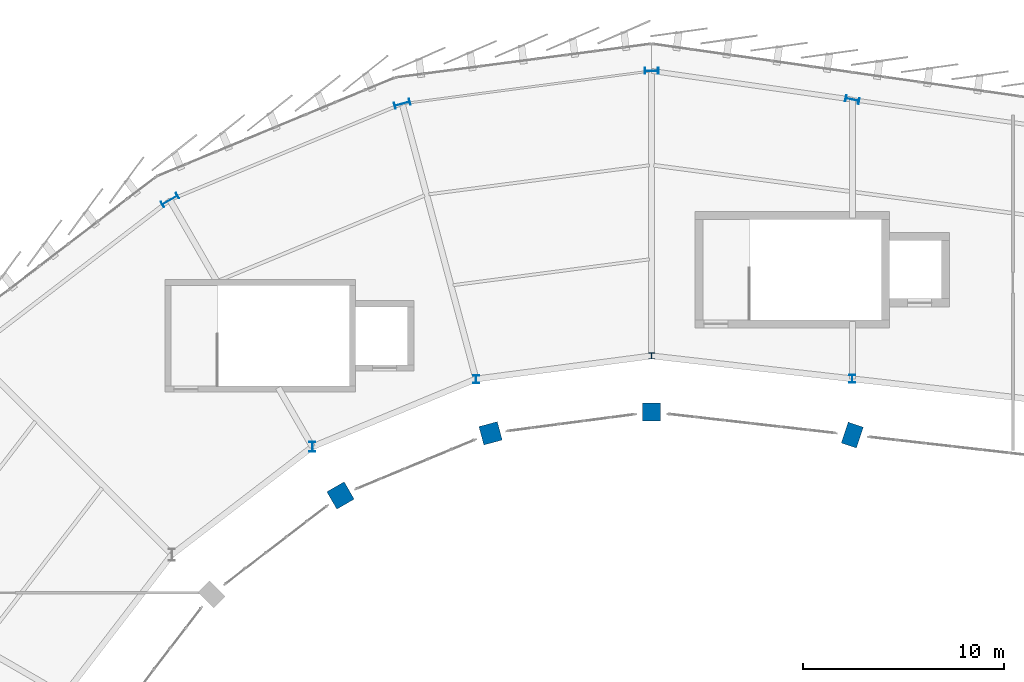
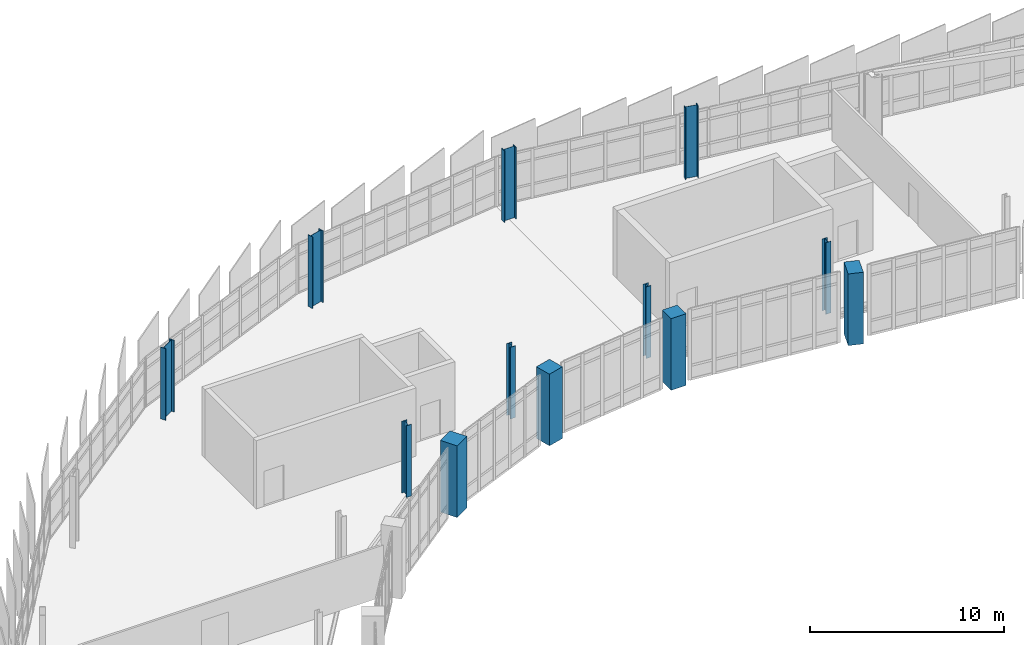
# One storey, part 7 of 67: 12 columns.
"""IFC4 building model written with IfcOpenShell, lengths in metres."""

from ifc_helpers import new_model, si_unit, direction, frame, origin, origin_2d, place, context, subcontext, project, spatial, rectangle, i_section, extrude, material, material_profile, profile_set, type_object, element, save


model = new_model("IFC4")

# Units and contexts
model_context = context("Model", 3, precision=1e-05, world=origin(), true_north=direction((0.0, 1.0)))
body_context = subcontext(model_context, "Body", "Model", "MODEL_VIEW")
ifc_project = project(units=[si_unit("LENGTHUNIT", "METRE"), si_unit("AREAUNIT", "SQUARE_METRE"), si_unit("VOLUMEUNIT", "CUBIC_METRE"), si_unit("PLANEANGLEUNIT", "RADIAN"), si_unit("MASSUNIT", "GRAM", prefix="KILO")], contexts=[model_context])

# Site, building, storey
site_placement = place(None, origin())
site = spatial("IfcSite", under=ifc_project, at=site_placement, CompositionType="ELEMENT")
building_placement = place(site_placement, origin())
building = spatial("IfcBuilding", under=site, at=building_placement, Name="Sohan Crest Arena", CompositionType="ELEMENT")
storey_placement = place(building_placement, frame((0.0, 0.0, 22.5)))
storey = spatial("IfcBuildingStorey", under=building, at=storey_placement, Name="L05", CompositionType="ELEMENT", Elevation=22.5)

# Columns
ifc_material_1 = material(Name="Concrete C40/50", Category="concrete")
ifc_material_profile_1 = material_profile(ifc_material_1, rectangle(XDim=0.89990234375, YDim=0.89990234375, at=origin_2d()), Name="RC 900x900")
ifc_profile_set_1 = profile_set([ifc_material_profile_1], Name="Concrete C40/50")
column_type_1 = type_object("IfcColumnType", Name="STR-COL-C07", PredefinedType="COLUMN", material=ifc_profile_set_1)
column_1_placement = place(storey_placement, frame((98.0, 109.0, 0.0), z_axis=(0.0, 0.0, 1.0), x_axis=(0.0, 1.0, 0.0)))
element("IfcColumn", 1, at=column_1_placement, inside=storey, type_object=column_type_1, Name="Structural column COL-V1R-01-L05", PredefinedType="COLUMN", context=body_context, shape_type="SweptSolid", body=[
    extrude(rectangle(XDim=0.89990234375, YDim=0.89990234375, at=origin_2d()), origin(), (0.0, 0.0, 1.0), 4.5),
])
ifc_material_profile_2 = material_profile(ifc_material_1, rectangle(XDim=0.949951171875, YDim=0.949951171875, at=origin_2d()), Name="RC 950x950")
ifc_profile_set_2 = profile_set([ifc_material_profile_2], Name="Concrete C40/50")
column_type_2 = type_object("IfcColumnType", Name="STR-COL-C08", PredefinedType="COLUMN", material=ifc_profile_set_2)
column_2_placement = place(storey_placement, frame((89.97705078125, 107.944091796875, 0.0), z_axis=(0.0, 0.0, 1.0), x_axis=(-0.258819045103, 0.965925826289, 0.0)))
element("IfcColumn", 2, at=column_2_placement, inside=storey, type_object=column_type_2, Name="Structural column COL-V1R-02-L05", PredefinedType="COLUMN", context=body_context, shape_type="SweptSolid", body=[
    extrude(rectangle(XDim=0.949951171875, YDim=0.949951171875, at=origin_2d()), origin(), (0.0, 0.0, 1.0), 4.5),
])
ifc_material_profile_3 = material_profile(ifc_material_1, rectangle(XDim=1.0, YDim=1.0, at=origin_2d()), Name="RC 1000x1000")
ifc_profile_set_3 = profile_set([ifc_material_profile_3], Name="Concrete C40/50")
column_type_3 = type_object("IfcColumnType", Name="STR-COL-C09", PredefinedType="COLUMN", material=ifc_profile_set_3)
column_3_placement = place(storey_placement, frame((82.5, 104.846923828125, 0.0), z_axis=(0.0, 0.0, 1.0), x_axis=(-0.5, 0.866025403784, 0.0)))
element("IfcColumn", 3, at=column_3_placement, inside=storey, type_object=column_type_3, Name="Structural column COL-V1R-03-L05", PredefinedType="COLUMN", context=body_context, shape_type="SweptSolid", body=[
    extrude(rectangle(XDim=1.0, YDim=1.0, at=origin_2d()), origin(), (0.0, 0.0, 1.0), 4.5),
])
ifc_material_profile_4 = material_profile(ifc_material_1, rectangle(XDim=1.10009765625, YDim=0.800048828125, at=origin_2d()), Name="RC 1100x800")
ifc_profile_set_4 = profile_set([ifc_material_profile_4], Name="Concrete C40/50")
column_type_4 = type_object("IfcColumnType", Name="STR-COL-C10", PredefinedType="COLUMN", material=ifc_profile_set_4)
column_4_placement = place(storey_placement, frame((108.0, 107.85693359375, 0.0), z_axis=(0.0, 0.0, 1.0), x_axis=(0.317304656405, 0.948323655206, 0.0)))
element("IfcColumn", 4, at=column_4_placement, inside=storey, type_object=column_type_4, Name="Structural column COL-V1R-34-L05", PredefinedType="COLUMN", context=body_context, shape_type="SweptSolid", body=[
    extrude(rectangle(XDim=1.10009765625, YDim=0.800048828125, at=origin_2d()), origin(), (0.0, 0.0, 1.0), 4.5),
])
ifc_material_2 = material(Name="Steel S355", Category="steel")
ifc_material_profile_5 = material_profile(ifc_material_2, i_section(OverallWidth=0.300048828125, OverallDepth=0.300048828125, WebThickness=0.010986328125, FlangeThickness=0.01904296875, at=origin_2d()), Name="HEB 300")
ifc_profile_set_5 = profile_set([ifc_material_profile_5], Name="Steel S355")
column_type_5 = type_object("IfcColumnType", Name="STR-COL-C17", PredefinedType="COLUMN", material=ifc_profile_set_5)
column_5_placement = place(storey_placement, frame((98.0, 111.800048828125, 0.0), z_axis=(0.0, 0.0, 1.0), x_axis=(1.0, 0.0, 0.0)))
element("IfcColumn", 5, at=column_5_placement, inside=storey, type_object=column_type_5, Name="Structural column COL-V2I-01-L05", PredefinedType="COLUMN", context=body_context, shape_type="SweptSolid", body=[
    extrude(i_section(OverallWidth=0.300048828125, OverallDepth=0.300048828125, WebThickness=0.010986328125, FlangeThickness=0.01904296875, at=origin_2d()), origin(), (0.0, 0.0, 1.0), 4.5),
])
ifc_material_profile_6 = material_profile(ifc_material_2, i_section(OverallWidth=0.300048828125, OverallDepth=0.39990234375, WebThickness=0.013427734375, FlangeThickness=0.02392578125, at=origin_2d()), Name="HEB 400")
ifc_profile_set_6 = profile_set([ifc_material_profile_6], Name="Steel S355")
column_type_6 = type_object("IfcColumnType", Name="STR-COL-C18", PredefinedType="COLUMN", material=ifc_profile_set_6)
for number, where, z_axis, x_axis, name in (
    (6, (89.251953125, 110.64794921875, 0.0), (0.0, 0.0, 1.0), (1.0, 0.0, 0.0), "Structural column COL-V2I-02-L05"),
    (7, (108.0, 110.656982421875, 0.0), (0.0, 0.0, 1.0), (1.0, 0.0, 0.0), "Structural column COL-V2I-34-L05"),
):
    element("IfcColumn", number, at=place(storey_placement, frame(where, z_axis=z_axis, x_axis=x_axis)), inside=storey, type_object=column_type_6, Name=name, PredefinedType="COLUMN", context=body_context, shape_type="SweptSolid", body=[
        extrude(i_section(OverallWidth=0.300048828125, OverallDepth=0.39990234375, WebThickness=0.013427734375, FlangeThickness=0.02392578125, at=origin_2d()), origin(), (0.0, 0.0, 1.0), 4.5),
    ])
ifc_material_profile_7 = material_profile(ifc_material_2, i_section(OverallWidth=0.300048828125, OverallDepth=0.5, WebThickness=0.014404296875, FlangeThickness=0.028076171875, at=origin_2d()), Name="HEB 500")
ifc_profile_set_7 = profile_set([ifc_material_profile_7], Name="Steel S355")
column_type_7 = type_object("IfcColumnType", Name="STR-COL-C19", PredefinedType="COLUMN", material=ifc_profile_set_7)
column_6_placement = place(storey_placement, frame((81.10009765625, 107.27197265625, 0.0), z_axis=(0.0, 0.0, 1.0), x_axis=(1.0, 0.0, 0.0)))
element("IfcColumn", 8, at=column_6_placement, inside=storey, type_object=column_type_7, Name="Structural column COL-V2I-03-L05", PredefinedType="COLUMN", context=body_context, shape_type="SweptSolid", body=[
    extrude(i_section(OverallWidth=0.300048828125, OverallDepth=0.5, WebThickness=0.014404296875, FlangeThickness=0.028076171875, at=origin_2d()), origin(), (0.0, 0.0, 1.0), 4.5),
])
ifc_material_profile_8 = material_profile(ifc_material_2, i_section(OverallWidth=0.300048828125, OverallDepth=0.699951171875, WebThickness=0.01708984375, FlangeThickness=0.031982421875, at=origin_2d()), Name="HEB 700")
ifc_profile_set_8 = profile_set([ifc_material_profile_8], Name="Steel S355")
column_type_8 = type_object("IfcColumnType", Name="STR-COL-C21", PredefinedType="COLUMN", material=ifc_profile_set_8)
for number, where, z_axis, x_axis, name in (
    (9, (98.0, 126.0, 0.0), (0.0, 0.0, 1.0), (0.0, 1.0, 0.0), "Structural column COL-V2O-01-L05"),
    (10, (108.0, 124.571044921875, 0.0), (0.0, 0.0, 1.0), (0.209618562904, 0.977783236759, 0.0), "Structural column COL-V2O-34-L05"),
):
    element("IfcColumn", number, at=place(storey_placement, frame(where, z_axis=z_axis, x_axis=x_axis)), inside=storey, type_object=column_type_8, Name=name, PredefinedType="COLUMN", context=body_context, shape_type="SweptSolid", body=[
        extrude(i_section(OverallWidth=0.300048828125, OverallDepth=0.699951171875, WebThickness=0.01708984375, FlangeThickness=0.031982421875, at=origin_2d()), origin(), (0.0, 0.0, 1.0), 4.5),
    ])
ifc_material_profile_9 = material_profile(ifc_material_2, i_section(OverallWidth=0.300048828125, OverallDepth=0.800048828125, WebThickness=0.017578125, FlangeThickness=0.032958984375, at=origin_2d()), Name="HEB 800")
ifc_profile_set_9 = profile_set([ifc_material_profile_9], Name="Steel S355")
column_type_9 = type_object("IfcColumnType", Name="STR-COL-C22", PredefinedType="COLUMN", material=ifc_profile_set_9)
column_7_placement = place(storey_placement, frame((85.576904296875, 124.364013671875, 0.0), z_axis=(0.0, 0.0, 1.0), x_axis=(-0.258819045103, 0.965925826289, 0.0)))
element("IfcColumn", 11, at=column_7_placement, inside=storey, type_object=column_type_9, Name="Structural column COL-V2O-02-L05", PredefinedType="COLUMN", context=body_context, shape_type="SweptSolid", body=[
    extrude(i_section(OverallWidth=0.300048828125, OverallDepth=0.800048828125, WebThickness=0.017578125, FlangeThickness=0.032958984375, at=origin_2d()), origin(), (0.0, 0.0, 1.0), 4.5),
])
ifc_material_profile_10 = material_profile(ifc_material_2, i_section(OverallWidth=0.300048828125, OverallDepth=0.89990234375, WebThickness=0.0185546875, FlangeThickness=0.034912109375, at=origin_2d()), Name="HEB 900")
ifc_profile_set_10 = profile_set([ifc_material_profile_10], Name="Steel S355")
column_type_10 = type_object("IfcColumnType", Name="STR-COL-C23", PredefinedType="COLUMN", material=ifc_profile_set_10)
column_8_placement = place(storey_placement, frame((74.0, 119.569091796875, 0.0), z_axis=(0.0, 0.0, 1.0), x_axis=(-0.5, 0.866025403784, 0.0)))
element("IfcColumn", 12, at=column_8_placement, inside=storey, type_object=column_type_10, Name="Structural column COL-V2O-03-L05", PredefinedType="COLUMN", context=body_context, shape_type="SweptSolid", body=[
    extrude(i_section(OverallWidth=0.300048828125, OverallDepth=0.89990234375, WebThickness=0.0185546875, FlangeThickness=0.034912109375, at=origin_2d()), origin(), (0.0, 0.0, 1.0), 4.5),
])

save(model, "model.ifc")
